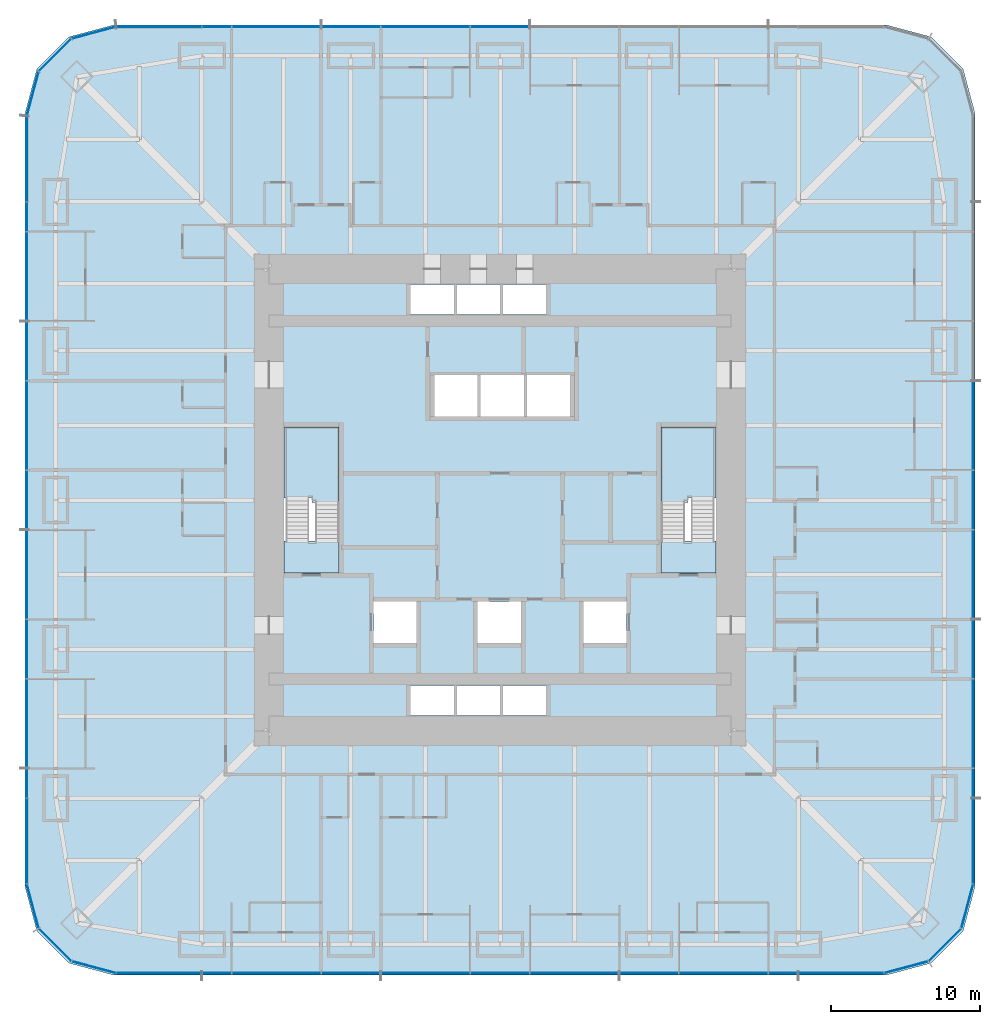
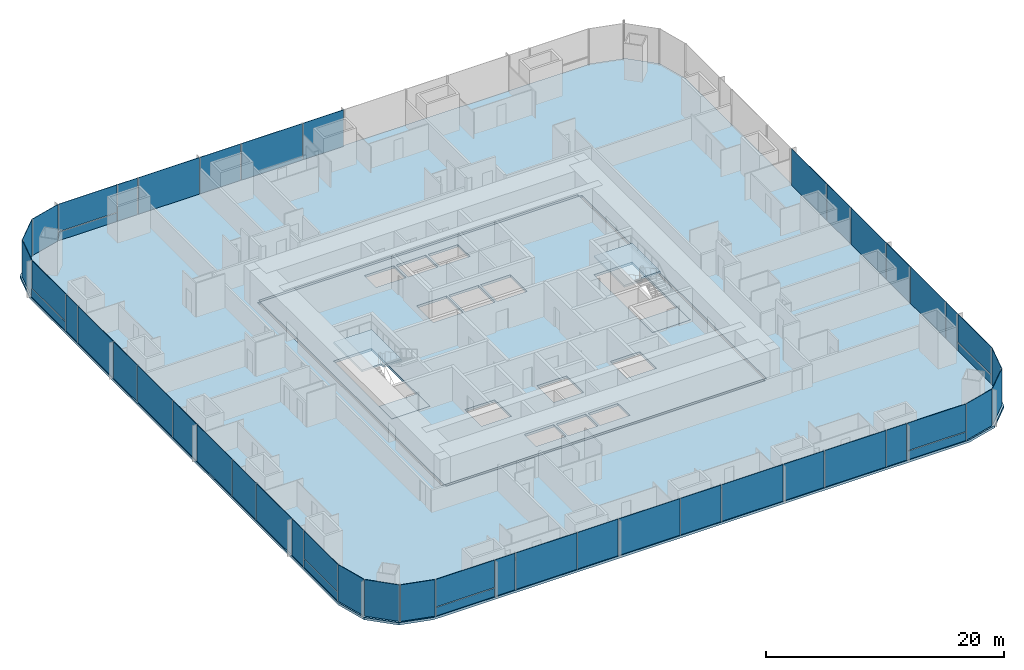
# One storey, part 10 of 17: 50 plates, 6 slabs, 9 elements without a shape of their own.
"""IFC4 building model written with IfcOpenShell, lengths in metres."""

from ifc_helpers import new_model, si_unit, direction, frame, origin, origin_2d, place, context, subcontext, project, spatial, polyline, rectangle, outline, extrude, material, layer, layer_set, type_object, element, aggregate, save


model = new_model("IFC4")

# Units and contexts
model_context = context("Model", 3, precision=1e-05, world=origin(), true_north=direction((0.0, 1.0)))
body_context = subcontext(model_context, "Body", "Model", "MODEL_VIEW")
ifc_project = project(units=[si_unit("LENGTHUNIT", "METRE"), si_unit("AREAUNIT", "SQUARE_METRE"), si_unit("VOLUMEUNIT", "CUBIC_METRE"), si_unit("PLANEANGLEUNIT", "RADIAN"), si_unit("MASSUNIT", "GRAM", prefix="KILO")], contexts=[model_context])

# Site, building, storey
site_placement = place(None, origin())
site = spatial("IfcSite", under=ifc_project, at=site_placement, CompositionType="ELEMENT")
building_placement = place(site_placement, origin())
building = spatial("IfcBuilding", under=site, at=building_placement, Name="Khuree Lantern Residences", CompositionType="ELEMENT")
storey_placement = place(building_placement, frame((0.0, 0.0, 36.0)))
storey = spatial("IfcBuildingStorey", under=building, at=storey_placement, Name="L08", CompositionType="ELEMENT", Elevation=36.0)

# Slab
ifc_material_1 = material(Name="Concrete C35/45", Category="concrete")
ifc_layer_1 = layer(ifc_material_1, 0.25)
ifc_layer_set_1 = layer_set([ifc_layer_1], Name="CFL250 CORE FLOOR SLAB 250")
slab_type_1 = type_object("IfcSlabType", Name="CFL250 CORE FLOOR SLAB 250", PredefinedType="FLOOR", material=ifc_layer_set_1)
slab_1_placement = place(storey_placement, frame((0.0, 0.0, -0.25)))
element("IfcSlab", 1, at=slab_1_placement, inside=storey, type_object=slab_type_1, Name="Core floor L08", PredefinedType="FLOOR", context=body_context, shape_type="SweptSolid", body=[
    extrude(outline(polyline([(-15.5, -15.5), (-15.5, 15.5), (15.5, 15.5), (15.5, -15.5), (-15.5, -15.5)]), holes=[polyline([(14.5, 4.89990234375), (10.800048828125, 4.89990234375), (10.800048828125, -4.89990234375), (14.5, -4.89990234375), (14.5, 4.89990234375)]), polyline([(8.5, -6.800048828125), (5.60009765625, -6.800048828125), (5.60009765625, -9.60009765625), (8.5, -9.60009765625), (8.5, -6.800048828125)]), polyline([(4.699951171875, 8.39990234375), (1.800048828125, 8.39990234375), (1.800048828125, 5.60009765625), (4.699951171875, 5.60009765625), (4.699951171875, 8.39990234375)]), polyline([(0.199951171875, -12.449951171875), (0.199951171875, -14.449951171875), (3.10009765625, -14.449951171875), (3.10009765625, -12.449951171875), (0.199951171875, -12.449951171875)]), polyline([(3.10009765625, 14.449951171875), (0.199951171875, 14.449951171875), (0.199951171875, 12.449951171875), (3.10009765625, 12.449951171875), (3.10009765625, 14.449951171875)]), polyline([(1.60009765625, 8.39990234375), (-1.300048828125, 8.39990234375), (-1.300048828125, 5.60009765625), (1.60009765625, 5.60009765625), (1.60009765625, 8.39990234375)]), polyline([(1.39990234375, -6.800048828125), (-1.5, -6.800048828125), (-1.5, -9.60009765625), (1.39990234375, -9.60009765625), (1.39990234375, -6.800048828125)]), polyline([(0.0, -12.449951171875), (-2.89990234375, -12.449951171875), (-2.89990234375, -14.449951171875), (0.0, -14.449951171875), (0.0, -12.449951171875)]), polyline([(0.0, 14.449951171875), (-2.89990234375, 14.449951171875), (-2.89990234375, 12.449951171875), (0.0, 12.449951171875), (0.0, 14.449951171875)]), polyline([(-1.5, 8.39990234375), (-4.39990234375, 8.39990234375), (-4.39990234375, 5.60009765625), (-1.5, 5.60009765625), (-1.5, 8.39990234375)]), polyline([(-6.0, -12.449951171875), (-6.0, -14.449951171875), (-3.10009765625, -14.449951171875), (-3.10009765625, -12.449951171875), (-6.0, -12.449951171875)]), polyline([(-3.10009765625, 14.449951171875), (-6.0, 14.449951171875), (-6.0, 12.449951171875), (-3.10009765625, 12.449951171875), (-3.10009765625, 14.449951171875)]), polyline([(-5.60009765625, -6.800048828125), (-8.5, -6.800048828125), (-8.5, -9.60009765625), (-5.60009765625, -9.60009765625), (-5.60009765625, -6.800048828125)]), polyline([(-10.800048828125, 4.89990234375), (-14.5, 4.89990234375), (-14.5, -4.89990234375), (-10.800048828125, -4.89990234375), (-10.800048828125, 4.89990234375)])]), origin(), (0.0, 0.0, 1.0), 0.25),
])

# Curtain wall, plates
ifc_material_2 = material(Name="Bronze anodised aluminium", Category="aluminium")
curtain_wall_type_1 = type_object("IfcCurtainWallType", Name="CW-T2 TOWER CORNER CURTAIN WALL", PredefinedType="USERDEFINED", material=ifc_material_2)
curtain_wall_1_placement = place(storey_placement, origin())
curtain_wall_1 = element("IfcCurtainWall", 2, at=curtain_wall_1_placement, inside=storey, type_object=curtain_wall_type_1, Name="L08 SOUTH-EAST CORNER CURTAIN WALL", ObjectType="Faceted corner curtain wall", PredefinedType="USERDEFINED")
ifc_material_3 = material(Name="Bronze tinted triple glazing", Category="glass")
ifc_layer_2 = layer(ifc_material_3, 0.048095703125)
ifc_layer_set_2 = layer_set([ifc_layer_2], Name="FACET PANEL P4")
plate_type_1 = type_object("IfcPlateType", Name="FACET PANEL P4", PredefinedType="CURTAIN_PANEL", material=ifc_layer_set_2)
plate_1_placement = place(storey_placement, frame((27.248046875, -31.3486328125, 0.0), z_axis=(0.0, 0.0, 1.0), x_axis=(0.965925792265, 0.258819172081, 0.0)))
plate_1 = element("IfcPlate", 3, at=plate_1_placement, type_object=plate_type_1, Name="L08 SOUTH-EAST CORNER PANEL 1.1", PredefinedType="CURTAIN_PANEL", context=body_context, shape_type="SweptSolid", body=[
    extrude(rectangle(XDim=3.02978515625, YDim=0.048095703125, at=origin_2d()), origin(), (0.0, 0.0, 1.0), 3.75),
])
plate_2_placement = place(storey_placement, frame((29.84814453125, -29.84814453125, 0.0), z_axis=(0.0, 0.0, 1.0), x_axis=(0.707106781187, 0.707106781187, 0.0)))
plate_2 = element("IfcPlate", 4, at=plate_2_placement, type_object=plate_type_1, Name="L08 SOUTH-EAST CORNER PANEL 2.1", PredefinedType="CURTAIN_PANEL", context=body_context, shape_type="SweptSolid", body=[
    extrude(rectangle(XDim=3.025634765625, YDim=0.048095703125, at=origin_2d()), origin(), (0.0, 0.0, 1.0), 3.75),
])
plate_3_placement = place(storey_placement, frame((31.3486328125, -27.248046875, 0.0), z_axis=(0.0, 0.0, 1.0), x_axis=(0.258819172081, 0.965925792265, 0.0)))
plate_3 = element("IfcPlate", 5, at=plate_3_placement, type_object=plate_type_1, Name="L08 SOUTH-EAST CORNER PANEL 3.1", PredefinedType="CURTAIN_PANEL", context=body_context, shape_type="SweptSolid", body=[
    extrude(rectangle(XDim=3.02978515625, YDim=0.048095703125, at=origin_2d()), origin(), (0.0, 0.0, 1.0), 3.75),
])
aggregate(curtain_wall_1, [plate_1, plate_2, plate_3])

curtain_wall_2_placement = place(storey_placement, origin())
curtain_wall_2 = element("IfcCurtainWall", 6, at=curtain_wall_2_placement, inside=storey, type_object=curtain_wall_type_1, Name="L08 NORTH-WEST CORNER CURTAIN WALL", ObjectType="Faceted corner curtain wall", PredefinedType="USERDEFINED")
plate_4_placement = place(storey_placement, frame((-27.248046875, 31.3486328125, 0.0), z_axis=(0.0, 0.0, 1.0), x_axis=(-0.965925792265, -0.258819172081, 0.0)))
plate_4 = element("IfcPlate", 7, at=plate_4_placement, type_object=plate_type_1, Name="L08 NORTH-WEST CORNER PANEL 29.1", PredefinedType="CURTAIN_PANEL", context=body_context, shape_type="SweptSolid", body=[
    extrude(rectangle(XDim=3.02978515625, YDim=0.048095703125, at=origin_2d()), origin(), (0.0, 0.0, 1.0), 3.75),
])
plate_5_placement = place(storey_placement, frame((-29.84814453125, 29.84814453125, 0.0), z_axis=(0.0, 0.0, 1.0), x_axis=(-0.707106781187, -0.707106781187, 0.0)))
plate_5 = element("IfcPlate", 8, at=plate_5_placement, type_object=plate_type_1, Name="L08 NORTH-WEST CORNER PANEL 30.1", PredefinedType="CURTAIN_PANEL", context=body_context, shape_type="SweptSolid", body=[
    extrude(rectangle(XDim=3.025634765625, YDim=0.048095703125, at=origin_2d()), origin(), (0.0, 0.0, 1.0), 3.75),
])
plate_6_placement = place(storey_placement, frame((-31.3486328125, 27.248046875, 0.0), z_axis=(0.0, 0.0, 1.0), x_axis=(-0.258819172081, -0.965925792265, 0.0)))
plate_6 = element("IfcPlate", 9, at=plate_6_placement, type_object=plate_type_1, Name="L08 NORTH-WEST CORNER PANEL 31.1", PredefinedType="CURTAIN_PANEL", context=body_context, shape_type="SweptSolid", body=[
    extrude(rectangle(XDim=3.02978515625, YDim=0.048095703125, at=origin_2d()), origin(), (0.0, 0.0, 1.0), 3.75),
])
aggregate(curtain_wall_2, [plate_4, plate_5, plate_6])

curtain_wall_3_placement = place(storey_placement, origin())
curtain_wall_3 = element("IfcCurtainWall", 10, at=curtain_wall_3_placement, inside=storey, type_object=curtain_wall_type_1, Name="L08 SOUTH-WEST CORNER CURTAIN WALL", ObjectType="Faceted corner curtain wall", PredefinedType="USERDEFINED")
plate_7_placement = place(storey_placement, frame((-31.3486328125, -27.248046875, 0.0), z_axis=(0.0, 0.0, 1.0), x_axis=(0.258819172081, -0.965925792265, 0.0)))
plate_7 = element("IfcPlate", 11, at=plate_7_placement, type_object=plate_type_1, Name="L08 SOUTH-WEST CORNER PANEL 43.1", PredefinedType="CURTAIN_PANEL", context=body_context, shape_type="SweptSolid", body=[
    extrude(rectangle(XDim=3.02978515625, YDim=0.048095703125, at=origin_2d()), origin(), (0.0, 0.0, 1.0), 3.75),
])
plate_8_placement = place(storey_placement, frame((-29.84814453125, -29.84814453125, 0.0), z_axis=(0.0, 0.0, 1.0), x_axis=(0.707106781187, -0.707106781187, 0.0)))
plate_8 = element("IfcPlate", 12, at=plate_8_placement, type_object=plate_type_1, Name="L08 SOUTH-WEST CORNER PANEL 44.1", PredefinedType="CURTAIN_PANEL", context=body_context, shape_type="SweptSolid", body=[
    extrude(rectangle(XDim=3.025634765625, YDim=0.048095703125, at=origin_2d()), origin(), (0.0, 0.0, 1.0), 3.75),
])
plate_9_placement = place(storey_placement, frame((-27.248046875, -31.3486328125, 0.0), z_axis=(0.0, 0.0, 1.0), x_axis=(0.965925792265, -0.258819172081, 0.0)))
plate_9 = element("IfcPlate", 13, at=plate_9_placement, type_object=plate_type_1, Name="L08 SOUTH-WEST CORNER PANEL 45.1", PredefinedType="CURTAIN_PANEL", context=body_context, shape_type="SweptSolid", body=[
    extrude(rectangle(XDim=3.02978515625, YDim=0.048095703125, at=origin_2d()), origin(), (0.0, 0.0, 1.0), 3.75),
])
aggregate(curtain_wall_3, [plate_7, plate_8, plate_9])

curtain_wall_type_2 = type_object("IfcCurtainWallType", Name="CW-T1 TOWER FACE CURTAIN WALL", PredefinedType="USERDEFINED", material=ifc_material_2)
curtain_wall_4_placement = place(storey_placement, origin())
curtain_wall_4 = element("IfcCurtainWall", 14, at=curtain_wall_4_placement, inside=storey, type_object=curtain_wall_type_2, Name="L08 EAST FACE CURTAIN WALL", ObjectType="Stick-built curtain wall", PredefinedType="USERDEFINED")
ifc_material_4 = material(Name="Bronze tinted triple glazing with a ceramic-fritted spandrel band", Category="glass")
ifc_layer_3 = layer(ifc_material_4, 0.048095703125)
ifc_layer_set_3 = layer_set([ifc_layer_3], Name="FIXED LIGHT PANEL P11")
plate_type_2 = type_object("IfcPlateType", Name="FIXED LIGHT PANEL P11", PredefinedType="CURTAIN_PANEL", material=ifc_layer_set_3)
plate_10_placement = place(storey_placement, frame((31.75, -15.0, 0.0), z_axis=(0.0, 0.0, 1.0), x_axis=(0.0, 1.0, 0.0)))
plate_10 = element("IfcPlate", 15, at=plate_10_placement, type_object=plate_type_2, Name="L08 EAST FACE PANEL 6.1", PredefinedType="CURTAIN_PANEL", context=body_context, shape_type="SweptSolid", body=[
    extrude(rectangle(XDim=5.93505859375, YDim=0.048095703125, at=origin_2d()), origin(), (0.0, 0.0, 1.0), 3.75),
])
plate_11_placement = place(storey_placement, frame((31.75, -5.0, 0.0), z_axis=(0.0, 0.0, 1.0), x_axis=(0.0, 1.0, 0.0)))
plate_11 = element("IfcPlate", 16, at=plate_11_placement, type_object=plate_type_2, Name="L08 EAST FACE PANEL 8.1", PredefinedType="CURTAIN_PANEL", context=body_context, shape_type="SweptSolid", body=[
    extrude(rectangle(XDim=5.93505859375, YDim=0.048095703125, at=origin_2d()), origin(), (0.0, 0.0, 1.0), 3.75),
])
plate_12_placement = place(storey_placement, frame((31.75, 5.0, 0.0), z_axis=(0.0, 0.0, 1.0), x_axis=(0.0, 1.0, 0.0)))
plate_12 = element("IfcPlate", 17, at=plate_12_placement, type_object=plate_type_2, Name="L08 EAST FACE PANEL 10.1", PredefinedType="CURTAIN_PANEL", context=body_context, shape_type="SweptSolid", body=[
    extrude(rectangle(XDim=5.93505859375, YDim=0.048095703125, at=origin_2d()), origin(), (0.0, 0.0, 1.0), 3.75),
])

curtain_wall_5_placement = place(storey_placement, origin())
curtain_wall_5 = element("IfcCurtainWall", 18, at=curtain_wall_5_placement, inside=storey, type_object=curtain_wall_type_2, Name="L08 NORTH FACE CURTAIN WALL", ObjectType="Stick-built curtain wall", PredefinedType="USERDEFINED")
plate_13_placement = place(storey_placement, frame((-5.0, 31.75, 0.0), z_axis=(0.0, 0.0, 1.0), x_axis=(-1.0, 0.0, 0.0)))
plate_13 = element("IfcPlate", 19, at=plate_13_placement, type_object=plate_type_2, Name="L08 NORTH FACE PANEL 24.1", PredefinedType="CURTAIN_PANEL", context=body_context, shape_type="SweptSolid", body=[
    extrude(rectangle(XDim=5.93505859375, YDim=0.048095703125, at=origin_2d()), origin(), (0.0, 0.0, 1.0), 3.75),
])
plate_14_placement = place(storey_placement, frame((-15.0, 31.75, 0.0), z_axis=(0.0, 0.0, 1.0), x_axis=(-1.0, 0.0, 0.0)))
plate_14 = element("IfcPlate", 20, at=plate_14_placement, type_object=plate_type_2, Name="L08 NORTH FACE PANEL 26.1", PredefinedType="CURTAIN_PANEL", context=body_context, shape_type="SweptSolid", body=[
    extrude(rectangle(XDim=5.93505859375, YDim=0.048095703125, at=origin_2d()), origin(), (0.0, 0.0, 1.0), 3.75),
])

curtain_wall_6_placement = place(storey_placement, origin())
curtain_wall_6 = element("IfcCurtainWall", 21, at=curtain_wall_6_placement, inside=storey, type_object=curtain_wall_type_2, Name="L08 WEST FACE CURTAIN WALL", ObjectType="Stick-built curtain wall", PredefinedType="USERDEFINED")
plate_15_placement = place(storey_placement, frame((-31.75, 15.0, 0.0), z_axis=(0.0, 0.0, 1.0), x_axis=(0.0, -1.0, 0.0)))
plate_15 = element("IfcPlate", 22, at=plate_15_placement, type_object=plate_type_2, Name="L08 WEST FACE PANEL 34.1", PredefinedType="CURTAIN_PANEL", context=body_context, shape_type="SweptSolid", body=[
    extrude(rectangle(XDim=5.93505859375, YDim=0.048095703125, at=origin_2d()), origin(), (0.0, 0.0, 1.0), 3.75),
])
plate_16_placement = place(storey_placement, frame((-31.75, 5.0, 0.0), z_axis=(0.0, 0.0, 1.0), x_axis=(0.0, -1.0, 0.0)))
plate_16 = element("IfcPlate", 23, at=plate_16_placement, type_object=plate_type_2, Name="L08 WEST FACE PANEL 36.1", PredefinedType="CURTAIN_PANEL", context=body_context, shape_type="SweptSolid", body=[
    extrude(rectangle(XDim=5.93505859375, YDim=0.048095703125, at=origin_2d()), origin(), (0.0, 0.0, 1.0), 3.75),
])
plate_17_placement = place(storey_placement, frame((-31.75, -5.0, 0.0), z_axis=(0.0, 0.0, 1.0), x_axis=(0.0, -1.0, 0.0)))
plate_17 = element("IfcPlate", 24, at=plate_17_placement, type_object=plate_type_2, Name="L08 WEST FACE PANEL 38.1", PredefinedType="CURTAIN_PANEL", context=body_context, shape_type="SweptSolid", body=[
    extrude(rectangle(XDim=5.93505859375, YDim=0.048095703125, at=origin_2d()), origin(), (0.0, 0.0, 1.0), 3.75),
])
plate_18_placement = place(storey_placement, frame((-31.75, -15.0, 0.0), z_axis=(0.0, 0.0, 1.0), x_axis=(0.0, -1.0, 0.0)))
plate_18 = element("IfcPlate", 25, at=plate_18_placement, type_object=plate_type_2, Name="L08 WEST FACE PANEL 40.1", PredefinedType="CURTAIN_PANEL", context=body_context, shape_type="SweptSolid", body=[
    extrude(rectangle(XDim=5.93505859375, YDim=0.048095703125, at=origin_2d()), origin(), (0.0, 0.0, 1.0), 3.75),
])

curtain_wall_7_placement = place(storey_placement, origin())
curtain_wall_7 = element("IfcCurtainWall", 26, at=curtain_wall_7_placement, inside=storey, type_object=curtain_wall_type_2, Name="L08 SOUTH FACE CURTAIN WALL", ObjectType="Stick-built curtain wall", PredefinedType="USERDEFINED")
plate_19_placement = place(storey_placement, frame((-15.0, -31.75, 0.0), z_axis=(0.0, 0.0, 1.0), x_axis=(1.0, 0.0, 0.0)))
plate_19 = element("IfcPlate", 27, at=plate_19_placement, type_object=plate_type_2, Name="L08 SOUTH FACE PANEL 48.1", PredefinedType="CURTAIN_PANEL", context=body_context, shape_type="SweptSolid", body=[
    extrude(rectangle(XDim=5.93505859375, YDim=0.048095703125, at=origin_2d()), origin(), (0.0, 0.0, 1.0), 3.75),
])
plate_20_placement = place(storey_placement, frame((-5.0, -31.75, 0.0), z_axis=(0.0, 0.0, 1.0), x_axis=(1.0, 0.0, 0.0)))
plate_20 = element("IfcPlate", 28, at=plate_20_placement, type_object=plate_type_2, Name="L08 SOUTH FACE PANEL 50.1", PredefinedType="CURTAIN_PANEL", context=body_context, shape_type="SweptSolid", body=[
    extrude(rectangle(XDim=5.93505859375, YDim=0.048095703125, at=origin_2d()), origin(), (0.0, 0.0, 1.0), 3.75),
])
plate_21_placement = place(storey_placement, frame((5.0, -31.75, 0.0), z_axis=(0.0, 0.0, 1.0), x_axis=(1.0, 0.0, 0.0)))
plate_21 = element("IfcPlate", 29, at=plate_21_placement, type_object=plate_type_2, Name="L08 SOUTH FACE PANEL 52.1", PredefinedType="CURTAIN_PANEL", context=body_context, shape_type="SweptSolid", body=[
    extrude(rectangle(XDim=5.93505859375, YDim=0.048095703125, at=origin_2d()), origin(), (0.0, 0.0, 1.0), 3.75),
])
plate_22_placement = place(storey_placement, frame((15.0, -31.75, 0.0), z_axis=(0.0, 0.0, 1.0), x_axis=(1.0, 0.0, 0.0)))
plate_22 = element("IfcPlate", 30, at=plate_22_placement, type_object=plate_type_2, Name="L08 SOUTH FACE PANEL 54.1", PredefinedType="CURTAIN_PANEL", context=body_context, shape_type="SweptSolid", body=[
    extrude(rectangle(XDim=5.93505859375, YDim=0.048095703125, at=origin_2d()), origin(), (0.0, 0.0, 1.0), 3.75),
])

# Slab
ifc_layer_4 = layer(ifc_material_1, 0.25)
ifc_layer_set_4 = layer_set([ifc_layer_4], Name="FS250 FLOOR SLAB 250")
slab_type_2 = type_object("IfcSlabType", Name="FS250 FLOOR SLAB 250", PredefinedType="FLOOR", material=ifc_layer_set_4)
slab_2_placement = place(storey_placement, frame((0.0, 0.0, -0.25)))
element("IfcSlab", 31, at=slab_2_placement, inside=storey, type_object=slab_type_2, Name="Floor slab L08", PredefinedType="FLOOR", context=body_context, shape_type="SweptSolid", body=[
    extrude(outline(polyline([(-28.925048828125, -31.066162109375), (-31.066162109375, -28.925048828125), (-31.85009765625, -26.0), (-31.85009765625, 26.0), (-31.066162109375, 28.925048828125), (-28.925048828125, 31.066162109375), (-26.0, 31.85009765625), (26.0, 31.85009765625), (28.925048828125, 31.066162109375), (31.066162109375, 28.925048828125), (31.85009765625, 26.0), (31.85009765625, -26.0), (31.066162109375, -28.925048828125), (28.925048828125, -31.066162109375), (26.0, -31.85009765625), (-26.0, -31.85009765625), (-28.925048828125, -31.066162109375)]), holes=[polyline([(15.75, 15.5), (15.5, 15.5), (15.5, 15.75), (-15.5, 15.75), (-15.5, 15.5), (-15.75, 15.5), (-15.75, -15.5), (-15.5, -15.5), (-15.5, -15.75), (15.5, -15.75), (15.5, -15.5), (15.75, -15.5), (15.75, 15.5)])]), origin(), (0.0, 0.0, 1.0), 0.25),
])

# Plate
ifc_material_5 = material(Name="Bronze tinted triple glazing, two aluminium-framed sashes in one frame", Category="aluminium")
ifc_layer_5 = layer(ifc_material_5, 0.048095703125)
ifc_layer_set_5 = layer_set([ifc_layer_5], Name="SASH PAIR PANEL P12")
plate_type_3 = type_object("IfcPlateType", Name="SASH PAIR PANEL P12", PredefinedType="CURTAIN_PANEL", material=ifc_layer_set_5)
plate_23_placement = place(storey_placement, frame((31.75, -10.0, 0.0), z_axis=(0.0, 0.0, 1.0), x_axis=(0.0, 1.0, 0.0)))
plate_23 = element("IfcPlate", 32, at=plate_23_placement, type_object=plate_type_3, Name="L08 EAST FACE PANEL 7.1", PredefinedType="CURTAIN_PANEL", context=body_context, shape_type="SweptSolid", body=[
    extrude(rectangle(XDim=3.93505859375, YDim=0.048095703125, at=origin_2d()), origin(), (0.0, 0.0, 1.0), 3.75),
])

plate_24_placement = place(storey_placement, frame((31.75, 0.0, 0.0), z_axis=(0.0, 0.0, 1.0), x_axis=(0.0, 1.0, 0.0)))
plate_24 = element("IfcPlate", 33, at=plate_24_placement, type_object=plate_type_3, Name="L08 EAST FACE PANEL 9.1", PredefinedType="CURTAIN_PANEL", context=body_context, shape_type="SweptSolid", body=[
    extrude(rectangle(XDim=3.93505859375, YDim=0.048095703125, at=origin_2d()), origin(), (0.0, 0.0, 1.0), 3.75),
])

plate_25_placement = place(storey_placement, frame((0.0, 31.75, 0.0), z_axis=(0.0, 0.0, 1.0), x_axis=(-1.0, 0.0, 0.0)))
plate_25 = element("IfcPlate", 34, at=plate_25_placement, type_object=plate_type_3, Name="L08 NORTH FACE PANEL 23.1", PredefinedType="CURTAIN_PANEL", context=body_context, shape_type="SweptSolid", body=[
    extrude(rectangle(XDim=3.93505859375, YDim=0.048095703125, at=origin_2d()), origin(), (0.0, 0.0, 1.0), 3.75),
])

plate_26_placement = place(storey_placement, frame((-10.0, 31.75, 0.0), z_axis=(0.0, 0.0, 1.0), x_axis=(-1.0, 0.0, 0.0)))
plate_26 = element("IfcPlate", 35, at=plate_26_placement, type_object=plate_type_3, Name="L08 NORTH FACE PANEL 25.1", PredefinedType="CURTAIN_PANEL", context=body_context, shape_type="SweptSolid", body=[
    extrude(rectangle(XDim=3.93505859375, YDim=0.048095703125, at=origin_2d()), origin(), (0.0, 0.0, 1.0), 3.75),
])

plate_27_placement = place(storey_placement, frame((-31.75, 10.0, 0.0), z_axis=(0.0, 0.0, 1.0), x_axis=(0.0, -1.0, 0.0)))
plate_27 = element("IfcPlate", 36, at=plate_27_placement, type_object=plate_type_3, Name="L08 WEST FACE PANEL 35.1", PredefinedType="CURTAIN_PANEL", context=body_context, shape_type="SweptSolid", body=[
    extrude(rectangle(XDim=3.93505859375, YDim=0.048095703125, at=origin_2d()), origin(), (0.0, 0.0, 1.0), 3.75),
])

plate_28_placement = place(storey_placement, frame((-31.75, 0.0, 0.0), z_axis=(0.0, 0.0, 1.0), x_axis=(0.0, -1.0, 0.0)))
plate_28 = element("IfcPlate", 37, at=plate_28_placement, type_object=plate_type_3, Name="L08 WEST FACE PANEL 37.1", PredefinedType="CURTAIN_PANEL", context=body_context, shape_type="SweptSolid", body=[
    extrude(rectangle(XDim=3.93505859375, YDim=0.048095703125, at=origin_2d()), origin(), (0.0, 0.0, 1.0), 3.75),
])

plate_29_placement = place(storey_placement, frame((-31.75, -10.0, 0.0), z_axis=(0.0, 0.0, 1.0), x_axis=(0.0, -1.0, 0.0)))
plate_29 = element("IfcPlate", 38, at=plate_29_placement, type_object=plate_type_3, Name="L08 WEST FACE PANEL 39.1", PredefinedType="CURTAIN_PANEL", context=body_context, shape_type="SweptSolid", body=[
    extrude(rectangle(XDim=3.93505859375, YDim=0.048095703125, at=origin_2d()), origin(), (0.0, 0.0, 1.0), 3.75),
])

plate_30_placement = place(storey_placement, frame((-10.0, -31.75, 0.0), z_axis=(0.0, 0.0, 1.0), x_axis=(1.0, 0.0, 0.0)))
plate_30 = element("IfcPlate", 39, at=plate_30_placement, type_object=plate_type_3, Name="L08 SOUTH FACE PANEL 49.1", PredefinedType="CURTAIN_PANEL", context=body_context, shape_type="SweptSolid", body=[
    extrude(rectangle(XDim=3.93505859375, YDim=0.048095703125, at=origin_2d()), origin(), (0.0, 0.0, 1.0), 3.75),
])

plate_31_placement = place(storey_placement, frame((0.0, -31.75, 0.0), z_axis=(0.0, 0.0, 1.0), x_axis=(1.0, 0.0, 0.0)))
plate_31 = element("IfcPlate", 40, at=plate_31_placement, type_object=plate_type_3, Name="L08 SOUTH FACE PANEL 51.1", PredefinedType="CURTAIN_PANEL", context=body_context, shape_type="SweptSolid", body=[
    extrude(rectangle(XDim=3.93505859375, YDim=0.048095703125, at=origin_2d()), origin(), (0.0, 0.0, 1.0), 3.75),
])

plate_32_placement = place(storey_placement, frame((10.0, -31.75, 0.0), z_axis=(0.0, 0.0, 1.0), x_axis=(1.0, 0.0, 0.0)))
plate_32 = element("IfcPlate", 41, at=plate_32_placement, type_object=plate_type_3, Name="L08 SOUTH FACE PANEL 53.1", PredefinedType="CURTAIN_PANEL", context=body_context, shape_type="SweptSolid", body=[
    extrude(rectangle(XDim=3.93505859375, YDim=0.048095703125, at=origin_2d()), origin(), (0.0, 0.0, 1.0), 3.75),
])

ifc_material_6 = material(Name="Bronze tinted triple glazing, aluminium-framed sash", Category="aluminium")
ifc_layer_6 = layer(ifc_material_6, 0.048095703125)
ifc_layer_set_6 = layer_set([ifc_layer_6], Name="SASH PANEL P3")
plate_type_4 = type_object("IfcPlateType", Name="SASH PANEL P3", PredefinedType="CURTAIN_PANEL", material=ifc_layer_set_6)
plate_33_placement = place(storey_placement, frame((31.75, -19.0, 0.0), z_axis=(0.0, 0.0, 1.0), x_axis=(0.0, 1.0, 0.0)))
plate_33 = element("IfcPlate", 42, at=plate_33_placement, type_object=plate_type_4, Name="L08 EAST FACE PANEL 5.1", PredefinedType="CURTAIN_PANEL", context=body_context, shape_type="SweptSolid", body=[
    extrude(rectangle(XDim=1.93505859375, YDim=0.048095703125, at=origin_2d()), origin(), (0.0, 0.0, 1.0), 3.75),
])

plate_34_placement = place(storey_placement, frame((-19.0, 31.75, 0.0), z_axis=(0.0, 0.0, 1.0), x_axis=(-1.0, 0.0, 0.0)))
plate_34 = element("IfcPlate", 43, at=plate_34_placement, type_object=plate_type_4, Name="L08 NORTH FACE PANEL 27.1", PredefinedType="CURTAIN_PANEL", context=body_context, shape_type="SweptSolid", body=[
    extrude(rectangle(XDim=1.93505859375, YDim=0.048095703125, at=origin_2d()), origin(), (0.0, 0.0, 1.0), 3.75),
])

plate_35_placement = place(storey_placement, frame((-31.75, 19.0, 0.0), z_axis=(0.0, 0.0, 1.0), x_axis=(0.0, -1.0, 0.0)))
plate_35 = element("IfcPlate", 44, at=plate_35_placement, type_object=plate_type_4, Name="L08 WEST FACE PANEL 33.1", PredefinedType="CURTAIN_PANEL", context=body_context, shape_type="SweptSolid", body=[
    extrude(rectangle(XDim=1.93505859375, YDim=0.048095703125, at=origin_2d()), origin(), (0.0, 0.0, 1.0), 3.75),
])

plate_36_placement = place(storey_placement, frame((-31.75, -19.0, 0.0), z_axis=(0.0, 0.0, 1.0), x_axis=(0.0, -1.0, 0.0)))
plate_36 = element("IfcPlate", 45, at=plate_36_placement, type_object=plate_type_4, Name="L08 WEST FACE PANEL 41.1", PredefinedType="CURTAIN_PANEL", context=body_context, shape_type="SweptSolid", body=[
    extrude(rectangle(XDim=1.93505859375, YDim=0.048095703125, at=origin_2d()), origin(), (0.0, 0.0, 1.0), 3.75),
])

plate_37_placement = place(storey_placement, frame((-19.0, -31.75, 0.0), z_axis=(0.0, 0.0, 1.0), x_axis=(1.0, 0.0, 0.0)))
plate_37 = element("IfcPlate", 46, at=plate_37_placement, type_object=plate_type_4, Name="L08 SOUTH FACE PANEL 47.1", PredefinedType="CURTAIN_PANEL", context=body_context, shape_type="SweptSolid", body=[
    extrude(rectangle(XDim=1.93505859375, YDim=0.048095703125, at=origin_2d()), origin(), (0.0, 0.0, 1.0), 3.75),
])

plate_38_placement = place(storey_placement, frame((19.0, -31.75, 0.0), z_axis=(0.0, 0.0, 1.0), x_axis=(1.0, 0.0, 0.0)))
plate_38 = element("IfcPlate", 47, at=plate_38_placement, type_object=plate_type_4, Name="L08 SOUTH FACE PANEL 55.1", PredefinedType="CURTAIN_PANEL", context=body_context, shape_type="SweptSolid", body=[
    extrude(rectangle(XDim=1.93505859375, YDim=0.048095703125, at=origin_2d()), origin(), (0.0, 0.0, 1.0), 3.75),
])

ifc_material_7 = material(Name="Bronze anodised aluminium insulated spandrel", Category="aluminium")
ifc_layer_7 = layer(ifc_material_7, 0.06005859375)
ifc_layer_set_7 = layer_set([ifc_layer_7], Name="SPANDREL PANEL P2")
plate_type_5 = type_object("IfcPlateType", Name="SPANDREL PANEL P2", PredefinedType="CURTAIN_PANEL", material=ifc_layer_set_7)
plate_39_placement = place(storey_placement, frame((31.75, -22.872802734375, 0.0), z_axis=(0.0, 0.0, 1.0), x_axis=(0.0, 1.0, 0.0)))
plate_39 = element("IfcPlate", 48, at=plate_39_placement, type_object=plate_type_5, Name="L08 EAST FACE PANEL 4.1", PredefinedType="CURTAIN_PANEL", context=body_context, shape_type="SweptSolid", body=[
    extrude(rectangle(XDim=5.6806640625, YDim=0.06005859375, at=origin_2d()), origin(), (0.0, 0.0, 1.0), 0.867431640625),
])

plate_40_placement = place(storey_placement, frame((-22.872802734375, 31.75, 0.0), z_axis=(0.0, 0.0, 1.0), x_axis=(-1.0, 0.0, 0.0)))
plate_40 = element("IfcPlate", 49, at=plate_40_placement, type_object=plate_type_5, Name="L08 NORTH FACE PANEL 28.1", PredefinedType="CURTAIN_PANEL", context=body_context, shape_type="SweptSolid", body=[
    extrude(rectangle(XDim=5.6806640625, YDim=0.06005859375, at=origin_2d()), origin(), (0.0, 0.0, 1.0), 0.867431640625),
])

plate_41_placement = place(storey_placement, frame((-31.75, 22.872802734375, 0.0), z_axis=(0.0, 0.0, 1.0), x_axis=(0.0, -1.0, 0.0)))
plate_41 = element("IfcPlate", 50, at=plate_41_placement, type_object=plate_type_5, Name="L08 WEST FACE PANEL 32.1", PredefinedType="CURTAIN_PANEL", context=body_context, shape_type="SweptSolid", body=[
    extrude(rectangle(XDim=5.6806640625, YDim=0.06005859375, at=origin_2d()), origin(), (0.0, 0.0, 1.0), 0.867431640625),
])

plate_42_placement = place(storey_placement, frame((-31.75, -22.872802734375, 0.0), z_axis=(0.0, 0.0, 1.0), x_axis=(0.0, -1.0, 0.0)))
plate_42 = element("IfcPlate", 51, at=plate_42_placement, type_object=plate_type_5, Name="L08 WEST FACE PANEL 42.1", PredefinedType="CURTAIN_PANEL", context=body_context, shape_type="SweptSolid", body=[
    extrude(rectangle(XDim=5.6806640625, YDim=0.06005859375, at=origin_2d()), origin(), (0.0, 0.0, 1.0), 0.867431640625),
])

plate_43_placement = place(storey_placement, frame((-22.872802734375, -31.75, 0.0), z_axis=(0.0, 0.0, 1.0), x_axis=(1.0, 0.0, 0.0)))
plate_43 = element("IfcPlate", 52, at=plate_43_placement, type_object=plate_type_5, Name="L08 SOUTH FACE PANEL 46.1", PredefinedType="CURTAIN_PANEL", context=body_context, shape_type="SweptSolid", body=[
    extrude(rectangle(XDim=5.6806640625, YDim=0.06005859375, at=origin_2d()), origin(), (0.0, 0.0, 1.0), 0.867431640625),
])

plate_44_placement = place(storey_placement, frame((22.872802734375, -31.75, 0.0), z_axis=(0.0, 0.0, 1.0), x_axis=(1.0, 0.0, 0.0)))
plate_44 = element("IfcPlate", 53, at=plate_44_placement, type_object=plate_type_5, Name="L08 SOUTH FACE PANEL 56.1", PredefinedType="CURTAIN_PANEL", context=body_context, shape_type="SweptSolid", body=[
    extrude(rectangle(XDim=5.6806640625, YDim=0.06005859375, at=origin_2d()), origin(), (0.0, 0.0, 1.0), 0.867431640625),
])

# Stair, slabs
ifc_material_8 = material(Name="Concrete C40/50", Category="concrete")
stair_type = type_object("IfcStairType", Name="STAIR ST1 HALF TURN 3600", PredefinedType="HALF_TURN_STAIR", material=ifc_material_8)
stair_1_placement = place(storey_placement, origin())
stair_1 = element("IfcStair", 54, at=stair_1_placement, inside=storey, type_object=stair_type, Name="Stair ST1", PredefinedType="HALF_TURN_STAIR")
ifc_layer_8 = layer(ifc_material_8, 0.199951171875)
ifc_layer_set_8 = layer_set([ifc_layer_8], Name="STAIR LANDING SL1 200")
slab_type_3 = type_object("IfcSlabType", Name="STAIR LANDING SL1 200", PredefinedType="LANDING", material=ifc_layer_set_8)
slab_3_placement = place(storey_placement, frame((0.0, 0.0, -0.199951171875)))
slab_3 = element("IfcSlab", 55, at=slab_3_placement, type_object=slab_type_3, Name="ST1 landing 1", PredefinedType="LANDING", context=body_context, shape_type="SweptSolid", body=[
    extrude(outline(polyline([(-14.5, -4.89990234375), (-10.800048828125, -4.89990234375), (-10.800048828125, -2.760009765625), (-14.5, -2.760009765625), (-14.5, -4.89990234375)])), origin(), (0.0, 0.0, 1.0), 0.199951171875),
])
slab_4_placement = place(storey_placement, frame((0.0, 0.0, 1.756591796875)))
slab_4 = element("IfcSlab", 56, at=slab_4_placement, type_object=slab_type_3, Name="ST1 landing 2", PredefinedType="LANDING", context=body_context, shape_type="SweptSolid", body=[
    extrude(outline(polyline([(-14.5, 0.1201171875), (-14.5, 4.89990234375), (-10.800048828125, 4.89990234375), (-10.800048828125, -0.159912109375), (-12.60009765625, -0.159912109375), (-12.60009765625, 0.1201171875), (-14.5, 0.1201171875)])), origin(), (0.0, 0.0, 1.0), 0.199951171875),
])
aggregate(stair_1, [slab_3, slab_4])

stair_2_placement = place(storey_placement, origin())
stair_2 = element("IfcStair", 57, at=stair_2_placement, inside=storey, type_object=stair_type, Name="Stair ST2", PredefinedType="HALF_TURN_STAIR")
slab_5_placement = place(storey_placement, frame((0.0, 0.0, -0.199951171875)))
slab_5 = element("IfcSlab", 58, at=slab_5_placement, type_object=slab_type_3, Name="ST2 landing 1", PredefinedType="LANDING", context=body_context, shape_type="SweptSolid", body=[
    extrude(outline(polyline([(10.800048828125, -4.89990234375), (14.5, -4.89990234375), (14.5, -2.760009765625), (10.800048828125, -2.760009765625), (10.800048828125, -4.89990234375)])), origin(), (0.0, 0.0, 1.0), 0.199951171875),
])
slab_6_placement = place(storey_placement, frame((0.0, 0.0, 1.756591796875)))
slab_6 = element("IfcSlab", 59, at=slab_6_placement, type_object=slab_type_3, Name="ST2 landing 2", PredefinedType="LANDING", context=body_context, shape_type="SweptSolid", body=[
    extrude(outline(polyline([(14.5, 4.89990234375), (14.5, 0.1201171875), (12.60009765625, 0.1201171875), (12.60009765625, -0.159912109375), (10.800048828125, -0.159912109375), (10.800048828125, 4.89990234375), (14.5, 4.89990234375)])), origin(), (0.0, 0.0, 1.0), 0.199951171875),
])
aggregate(stair_2, [slab_5, slab_6])

# Plate
ifc_layer_9 = layer(ifc_material_3, 0.048095703125)
ifc_layer_set_9 = layer_set([ifc_layer_9], Name="VISION PANEL P1")
plate_type_6 = type_object("IfcPlateType", Name="VISION PANEL P1", PredefinedType="CURTAIN_PANEL", material=ifc_layer_set_9)
plate_45_placement = place(storey_placement, frame((31.75, -22.873291015625, 0.9326171875), z_axis=(0.0, 0.0, 1.0), x_axis=(0.0, 1.0, 0.0)))
plate_45 = element("IfcPlate", 60, at=plate_45_placement, type_object=plate_type_6, Name="L08 EAST FACE PANEL 4.2", PredefinedType="CURTAIN_PANEL", context=body_context, shape_type="SweptSolid", body=[
    extrude(rectangle(XDim=5.681640625, YDim=0.048095703125, at=origin_2d()), origin(), (0.0, 0.0, 1.0), 2.8173828125),
])

aggregate(curtain_wall_4, [plate_39, plate_45, plate_33, plate_10, plate_23, plate_11, plate_24, plate_12])

plate_46_placement = place(storey_placement, frame((-22.873291015625, 31.75, 0.9326171875), z_axis=(0.0, 0.0, 1.0), x_axis=(-1.0, 0.0, 0.0)))
plate_46 = element("IfcPlate", 61, at=plate_46_placement, type_object=plate_type_6, Name="L08 NORTH FACE PANEL 28.2", PredefinedType="CURTAIN_PANEL", context=body_context, shape_type="SweptSolid", body=[
    extrude(rectangle(XDim=5.681640625, YDim=0.048095703125, at=origin_2d()), origin(), (0.0, 0.0, 1.0), 2.8173828125),
])

aggregate(curtain_wall_5, [plate_25, plate_13, plate_26, plate_14, plate_34, plate_40, plate_46])

plate_47_placement = place(storey_placement, frame((-31.75, 22.873291015625, 0.9326171875), z_axis=(0.0, 0.0, 1.0), x_axis=(0.0, -1.0, 0.0)))
plate_47 = element("IfcPlate", 62, at=plate_47_placement, type_object=plate_type_6, Name="L08 WEST FACE PANEL 32.2", PredefinedType="CURTAIN_PANEL", context=body_context, shape_type="SweptSolid", body=[
    extrude(rectangle(XDim=5.681640625, YDim=0.048095703125, at=origin_2d()), origin(), (0.0, 0.0, 1.0), 2.8173828125),
])

plate_48_placement = place(storey_placement, frame((-31.75, -22.873291015625, 0.9326171875), z_axis=(0.0, 0.0, 1.0), x_axis=(0.0, -1.0, 0.0)))
plate_48 = element("IfcPlate", 63, at=plate_48_placement, type_object=plate_type_6, Name="L08 WEST FACE PANEL 42.2", PredefinedType="CURTAIN_PANEL", context=body_context, shape_type="SweptSolid", body=[
    extrude(rectangle(XDim=5.681640625, YDim=0.048095703125, at=origin_2d()), origin(), (0.0, 0.0, 1.0), 2.8173828125),
])

aggregate(curtain_wall_6, [plate_41, plate_47, plate_35, plate_15, plate_27, plate_16, plate_28, plate_17, plate_29, plate_18, plate_36, plate_42, plate_48])

plate_49_placement = place(storey_placement, frame((-22.873291015625, -31.75, 0.9326171875), z_axis=(0.0, 0.0, 1.0), x_axis=(1.0, 0.0, 0.0)))
plate_49 = element("IfcPlate", 64, at=plate_49_placement, type_object=plate_type_6, Name="L08 SOUTH FACE PANEL 46.2", PredefinedType="CURTAIN_PANEL", context=body_context, shape_type="SweptSolid", body=[
    extrude(rectangle(XDim=5.681640625, YDim=0.048095703125, at=origin_2d()), origin(), (0.0, 0.0, 1.0), 2.8173828125),
])

plate_50_placement = place(storey_placement, frame((22.873291015625, -31.75, 0.9326171875), z_axis=(0.0, 0.0, 1.0), x_axis=(1.0, 0.0, 0.0)))
plate_50 = element("IfcPlate", 65, at=plate_50_placement, type_object=plate_type_6, Name="L08 SOUTH FACE PANEL 56.2", PredefinedType="CURTAIN_PANEL", context=body_context, shape_type="SweptSolid", body=[
    extrude(rectangle(XDim=5.681640625, YDim=0.048095703125, at=origin_2d()), origin(), (0.0, 0.0, 1.0), 2.8173828125),
])

aggregate(curtain_wall_7, [plate_43, plate_49, plate_37, plate_19, plate_30, plate_20, plate_31, plate_21, plate_32, plate_22, plate_38, plate_44, plate_50])

save(model, "model.ifc")
